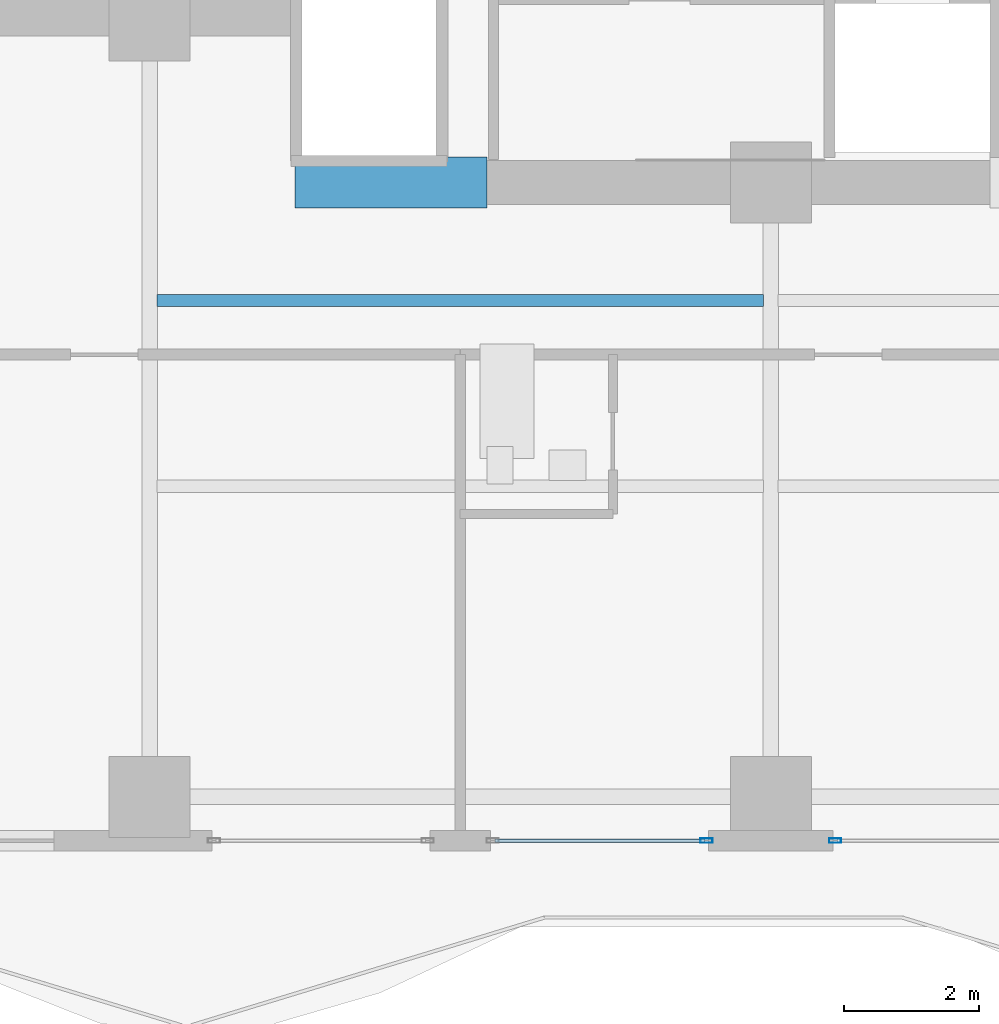
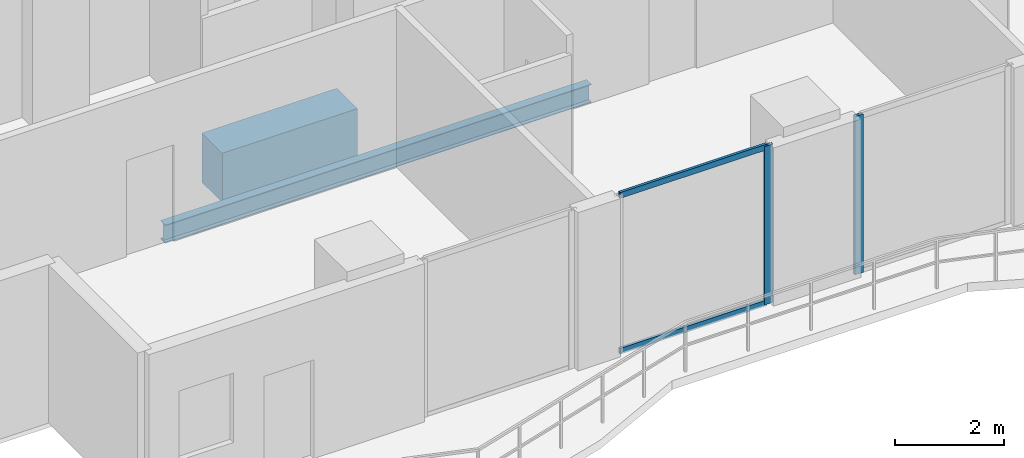
# One storey, part 4 of 32: 4 members, 2 beams, 2 elements without a shape of their own.
"""IFC4 building model written with IfcOpenShell, lengths in metres."""

from ifc_helpers import new_model, si_unit, direction, frame, origin, origin_2d, place, context, subcontext, project, spatial, rectangle, hollow_rectangle, i_section, extrude, material, layer, layer_set, material_profile, profile_set, type_object, element, aggregate, save


model = new_model("IFC4")

# Units and contexts
model_context = context("Model", 3, precision=1e-05, world=origin(), true_north=direction((0.0, 1.0)))
body_context = subcontext(model_context, "Body", "Model", "MODEL_VIEW")
ifc_project = project(units=[si_unit("LENGTHUNIT", "METRE"), si_unit("AREAUNIT", "SQUARE_METRE"), si_unit("VOLUMEUNIT", "CUBIC_METRE"), si_unit("PLANEANGLEUNIT", "RADIAN"), si_unit("MASSUNIT", "GRAM", prefix="KILO")], contexts=[model_context])

# Site, building, storey
site_placement = place(None, origin())
site = spatial("IfcSite", under=ifc_project, at=site_placement, CompositionType="ELEMENT")
building_placement = place(site_placement, origin())
building = spatial("IfcBuilding", under=site, at=building_placement, Name="Zuhayl Quay Hotel", CompositionType="ELEMENT")
storey_placement = place(building_placement, frame((0.0, 0.0, 226.14990234375)))
storey = spatial("IfcBuildingStorey", under=building, at=storey_placement, Name="L57", CompositionType="ELEMENT", Elevation=226.14990234375)

# Beams
ifc_material_1 = material(Name="Concrete C60/75", Category="concrete")
ifc_material_profile_1 = material_profile(ifc_material_1, rectangle(XDim=0.75, YDim=1.10009765625, at=origin_2d()), Name="RC750X1100")
ifc_profile_set_1 = profile_set([ifc_material_profile_1], Name="Concrete C60/75")
beam_type_1 = type_object("IfcBeamType", Name="BM_CB2_RC750", PredefinedType="T_BEAM", material=ifc_profile_set_1)
beam_1_placement = place(storey_placement, frame((-11.64990234375, 2.14990234375, -0.77001953125), z_axis=(1.0, 0.0, 0.0), x_axis=(0.0, 1.0, 0.0)))
element("IfcBeam", 1, at=beam_1_placement, inside=storey, type_object=beam_type_1, Name="L57 Core Coupling Beam SW", PredefinedType="T_BEAM", context=body_context, shape_type="SweptSolid", body=[
    extrude(rectangle(XDim=0.75, YDim=1.10009765625, at=origin_2d()), origin(), (0.0, 0.0, 1.0), 2.849853515625),
])
ifc_material_2 = material(Name="Steel ASTM A992 Grade 50", Category="steel")
ifc_material_profile_2 = material_profile(ifc_material_2, i_section(OverallWidth=0.177978515625, OverallDepth=0.406005859375, WebThickness=0.0078125, FlangeThickness=0.0126953125, at=origin_2d()), Name="W16X40")
ifc_profile_set_2 = profile_set([ifc_material_profile_2], Name="Steel ASTM A992 Grade 50")
beam_type_2 = type_object("IfcBeamType", Name="BM_J2B_W16X40", PredefinedType="JOIST", material=ifc_profile_set_2)
beam_2_placement = place(storey_placement, frame((-13.694091796875, 0.39990234375, -0.4228515625), z_axis=(1.0, 0.0, 0.0), x_axis=(0.0, 1.0, 0.0)))
element("IfcBeam", 2, at=beam_2_placement, inside=storey, type_object=beam_type_2, Name="L57 Floor Beam FJ_L57_8_1", PredefinedType="JOIST", context=body_context, shape_type="SweptSolid", body=[
    extrude(i_section(OverallWidth=0.177978515625, OverallDepth=0.406005859375, WebThickness=0.0078125, FlangeThickness=0.0126953125, at=origin_2d()), origin(), (0.0, 0.0, 1.0), 8.988037109375),
])

# Curtain wall, member
ifc_material_3 = material(Name="Anodised Aluminium 6063-T6", Category="aluminium")
ifc_layer = layer(ifc_material_3, 0.175048828125, Name="Anodised Aluminium 6063-T6", Category="aluminium")
ifc_layer_set = layer_set([ifc_layer], Name="Anodised Aluminium 6063-T6")
curtain_wall_type = type_object("IfcCurtainWallType", Name="CW_SYS_Z3", PredefinedType="USERDEFINED", material=ifc_layer_set)
curtain_wall_1_placement = place(storey_placement, origin())
curtain_wall_1 = element("IfcCurtainWall", 3, at=curtain_wall_1_placement, inside=storey, type_object=curtain_wall_type, Name="L57 Curtain Wall ENV_L57_S_CW5", ObjectType="UNITISED CURTAIN WALL", PredefinedType="USERDEFINED")
ifc_material_4 = material(Name="Black-anodised aluminium 6063-T6", Category="aluminium")
ifc_material_profile_3 = material_profile(ifc_material_4, hollow_rectangle(XDim=0.06494140625, YDim=0.179931640625, WallThickness=0.00341796875, at=origin_2d()), Name="ALU180X65")
ifc_profile_set_3 = profile_set([ifc_material_profile_3], Name="Black-anodised aluminium 6063-T6")
member_type_1 = type_object("IfcMemberType", Name="MB_CW_MUL_180", PredefinedType="MULLION", material=ifc_profile_set_3)
member_1_placement = place(storey_placement, frame((-3.6474609375, -7.60009765625, 0.0), z_axis=(0.0, 0.0, 1.0), x_axis=(0.0, -1.0, 0.0)))
member_1 = element("IfcMember", 4, at=member_1_placement, type_object=member_type_1, Name="CW-Z3 mullion 2", PredefinedType="MULLION", context=body_context, shape_type="SweptSolid", body=[
    extrude(hollow_rectangle(XDim=0.06494140625, YDim=0.179931640625, WallThickness=0.00341796875, at=origin_2d()), origin(), (0.0, 0.0, 1.0), 3.530029296875),
])
aggregate(curtain_wall_1, [member_1])

# Curtain wall, members
curtain_wall_2_placement = place(storey_placement, origin())
curtain_wall_2 = element("IfcCurtainWall", 5, at=curtain_wall_2_placement, inside=storey, type_object=curtain_wall_type, Name="L57 Curtain Wall ENV_L57_S_CW6", ObjectType="UNITISED CURTAIN WALL", PredefinedType="USERDEFINED")
member_2_placement = place(storey_placement, frame((-5.552490234375, -7.60009765625, 0.0), z_axis=(0.0, 0.0, 1.0), x_axis=(0.0, -1.0, 0.0)))
member_2 = element("IfcMember", 6, at=member_2_placement, type_object=member_type_1, Name="CW-Z3 mullion 1", PredefinedType="MULLION", context=body_context, shape_type="SweptSolid", body=[
    extrude(hollow_rectangle(XDim=0.06494140625, YDim=0.179931640625, WallThickness=0.00341796875, at=origin_2d()), origin(), (0.0, 0.0, 1.0), 3.530029296875),
])
ifc_material_profile_4 = material_profile(ifc_material_4, hollow_rectangle(XDim=0.054931640625, YDim=0.1298828125, WallThickness=0.0029296875, at=origin_2d()), Name="ALU130X55")
ifc_profile_set_4 = profile_set([ifc_material_profile_4], Name="Black-anodised aluminium 6063-T6")
member_type_2 = type_object("IfcMemberType", Name="MB_CW_TRN_130", PredefinedType="USERDEFINED", material=ifc_profile_set_4)
member_3_placement = place(storey_placement, frame((-5.5849609375, -7.60009765625, 0.027587890625), z_axis=(-1.0, 0.0, 0.0), x_axis=(0.0, -1.0, 0.0)))
member_3 = element("IfcMember", 7, at=member_3_placement, type_object=member_type_2, Name="CW-Z3 transom 1.1", ObjectType="TRANSOM", PredefinedType="USERDEFINED", context=body_context, shape_type="SweptSolid", body=[
    extrude(hollow_rectangle(XDim=0.054931640625, YDim=0.1298828125, WallThickness=0.0029296875, at=origin_2d()), origin(), (0.0, 0.0, 1.0), 3.10009765625),
])
member_4_placement = place(storey_placement, frame((-5.5849609375, -7.60009765625, 3.502685546875), z_axis=(-1.0, 0.0, 0.0), x_axis=(0.0, -1.0, 0.0)))
member_4 = element("IfcMember", 8, at=member_4_placement, type_object=member_type_2, Name="CW-Z3 transom 1.2", ObjectType="TRANSOM", PredefinedType="USERDEFINED", context=body_context, shape_type="SweptSolid", body=[
    extrude(hollow_rectangle(XDim=0.054931640625, YDim=0.1298828125, WallThickness=0.0029296875, at=origin_2d()), origin(), (0.0, 0.0, 1.0), 3.10009765625),
])
aggregate(curtain_wall_2, [member_2, member_3, member_4])

save(model, "model.ifc")
